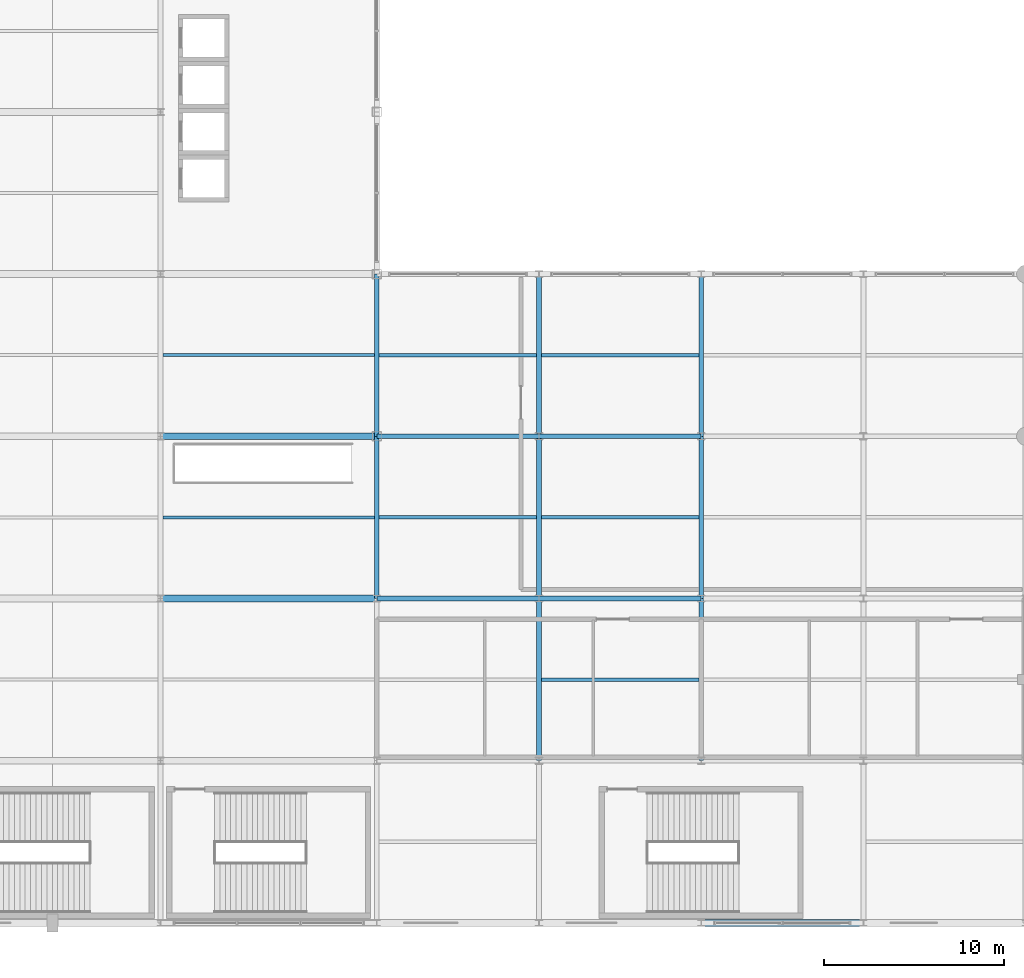
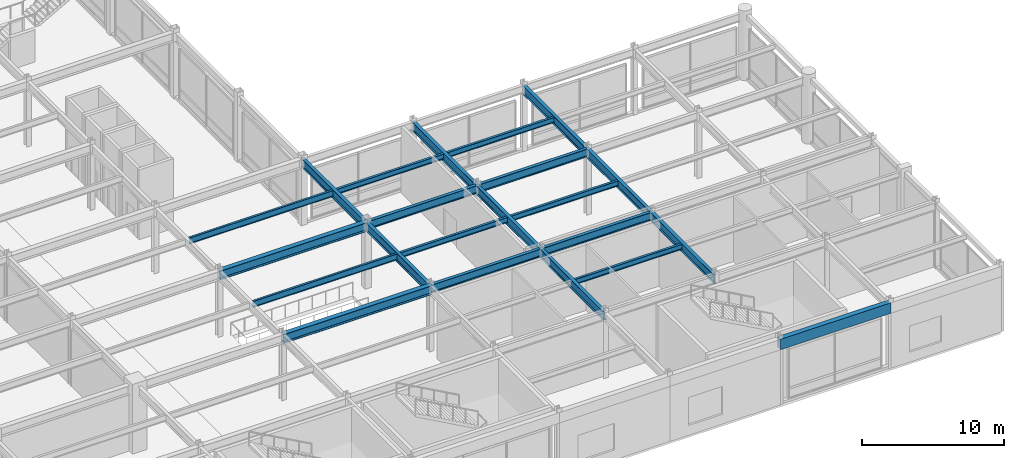
# One storey, part 50 of 108: 22 beams.
"""IFC4 building model written with IfcOpenShell, lengths in metres."""

from ifc_helpers import new_model, si_unit, direction, frame, origin, origin_2d, place, context, subcontext, project, spatial, rectangle, i_section, extrude, material, material_profile, profile_set, type_object, element, save


model = new_model("IFC4")

# Units and contexts
model_context = context("Model", 3, precision=1e-05, world=origin(), true_north=direction((0.0, 1.0)))
body_context = subcontext(model_context, "Body", "Model", "MODEL_VIEW")
ifc_project = project(units=[si_unit("LENGTHUNIT", "METRE"), si_unit("AREAUNIT", "SQUARE_METRE"), si_unit("VOLUMEUNIT", "CUBIC_METRE"), si_unit("PLANEANGLEUNIT", "RADIAN"), si_unit("MASSUNIT", "GRAM", prefix="KILO")], contexts=[model_context])

# Site, building, storey
site_placement = place(None, origin())
site = spatial("IfcSite", under=ifc_project, at=site_placement, CompositionType="ELEMENT")
building_placement = place(site_placement, origin())
building = spatial("IfcBuilding", under=site, at=building_placement, Name="Kaldorvane Square Convention Centre", CompositionType="ELEMENT")
storey_placement = place(building_placement, frame((0.0, 0.0, 12.0)))
storey = spatial("IfcBuildingStorey", under=building, at=storey_placement, Name="L02", CompositionType="ELEMENT", Elevation=12.0)

# Beams
ifc_material_1 = material(Name="Steel ASTM A992 Gr. 50", Category="steel")
ifc_material_profile_1 = material_profile(ifc_material_1, i_section(OverallWidth=0.25439453125, OverallDepth=0.6880950927734375, WebThickness=0.0131072998046875, FlangeThickness=0.0211029052734375, FilletRadius=0.01519775390625, at=origin_2d()), Name="W27X102")
ifc_profile_set_1 = profile_set([ifc_material_profile_1], Name="Steel ASTM A992 Gr. 50")
beam_type_1 = type_object("IfcBeamType", Name="BM-GR-W27X102", PredefinedType="BEAM", material=ifc_profile_set_1)
for number, where, z_axis, x_axis, name in (
    (1, (138.0, 18.0, 5.3018951416015625), (1.0, 0.0, 0.0), (0.0, 1.0, 0.0), "Primary Girder (L02)"),
    (2, (147.0, 18.0, 5.3018951416015625), (1.0, 0.0, 0.0), (0.0, 1.0, 0.0), "Primary Girder (L02)"),
    (3, (138.0, 27.0, 5.3018951416015625), (1.0, 0.0, 0.0), (0.0, 1.0, 0.0), "Primary Girder (L02)"),
    (4, (147.0, 27.0, 5.3018951416015625), (1.0, 0.0, 0.0), (0.0, 1.0, 0.0), "Primary Girder (L02)"),
):
    element("IfcBeam", number, at=place(storey_placement, frame(where, z_axis=z_axis, x_axis=x_axis)), inside=storey, type_object=beam_type_1, Name=name, PredefinedType="BEAM", context=body_context, shape_type="SweptSolid", body=[
        extrude(i_section(OverallWidth=0.25439453125, OverallDepth=0.6880950927734375, WebThickness=0.0131072998046875, FlangeThickness=0.0211029052734375, FilletRadius=0.01519775390625, at=origin_2d()), origin(), (0.0, 0.0, 1.0), 9.0),
    ])
ifc_material_profile_2 = material_profile(ifc_material_1, i_section(OverallWidth=0.2666015625, OverallDepth=0.762298583984375, WebThickness=0.014404296875, FlangeThickness=0.0216064453125, FilletRadius=0.0164947509765625, at=origin_2d()), Name="W30X116")
ifc_profile_set_2 = profile_set([ifc_material_profile_2], Name="Steel ASTM A992 Gr. 50")
beam_type_2 = type_object("IfcBeamType", Name="BM-GR-W30X116", PredefinedType="BEAM", material=ifc_profile_set_2)
for number, where, z_axis, x_axis, name in (
    (5, (138.0, 18.0, 5.264801025390625), (0.0, 1.0, 0.0), (-1.0, 0.0, 0.0), "Transverse Girder (L02)"),
    (6, (138.0, 27.0, 5.264801025390625), (0.0, 1.0, 0.0), (-1.0, 0.0, 0.0), "Transverse Girder (L02)"),
    (7, (147.0, 9.0, 5.264801025390625), (0.0, 1.0, 0.0), (-1.0, 0.0, 0.0), "Transverse Girder (L02)"),
    (8, (147.0, 18.0, 5.264801025390625), (0.0, 1.0, 0.0), (-1.0, 0.0, 0.0), "Transverse Girder (L02)"),
    (9, (147.0, 27.0, 5.264801025390625), (0.0, 1.0, 0.0), (-1.0, 0.0, 0.0), "Transverse Girder (L02)"),
    (10, (156.0, 9.0, 5.264801025390625), (0.0, 1.0, 0.0), (-1.0, 0.0, 0.0), "Transverse Girder (L02)"),
    (11, (156.0, 18.0, 5.264801025390625), (0.0, 1.0, 0.0), (-1.0, 0.0, 0.0), "Transverse Girder (L02)"),
    (12, (156.0, 27.0, 5.264801025390625), (0.0, 1.0, 0.0), (-1.0, 0.0, 0.0), "Transverse Girder (L02)"),
):
    element("IfcBeam", number, at=place(storey_placement, frame(where, z_axis=z_axis, x_axis=x_axis)), inside=storey, type_object=beam_type_2, Name=name, PredefinedType="BEAM", context=body_context, shape_type="SweptSolid", body=[
        extrude(i_section(OverallWidth=0.2666015625, OverallDepth=0.762298583984375, WebThickness=0.014404296875, FlangeThickness=0.0216064453125, FilletRadius=0.0164947509765625, at=origin_2d()), origin(), (0.0, 0.0, 1.0), 9.0),
    ])
ifc_material_profile_3 = material_profile(ifc_material_1, i_section(OverallWidth=0.380706787109375, OverallDepth=0.773193359375, WebThickness=0.0166015625, FlangeThickness=0.027099609375, FilletRadius=0.0164947509765625, at=origin_2d()), Name="W30X173")
ifc_profile_set_3 = profile_set([ifc_material_profile_3], Name="Steel ASTM A992 Gr. 50")
beam_type_3 = type_object("IfcBeamType", Name="BM-GR-W30X173", PredefinedType="BEAM", material=ifc_profile_set_3)
for number, where, z_axis, x_axis, name in (
    (13, (126.0, 18.0, 5.2593994140625), (1.0, 0.0, 0.0), (0.0, 1.0, 0.0), "Primary Girder (L02)"),
    (14, (126.0, 27.0, 5.2593994140625), (1.0, 0.0, 0.0), (0.0, 1.0, 0.0), "Primary Girder (L02)"),
):
    element("IfcBeam", number, at=place(storey_placement, frame(where, z_axis=z_axis, x_axis=x_axis)), inside=storey, type_object=beam_type_3, Name=name, PredefinedType="BEAM", context=body_context, shape_type="SweptSolid", body=[
        extrude(i_section(OverallWidth=0.380706787109375, OverallDepth=0.773193359375, WebThickness=0.0166015625, FlangeThickness=0.027099609375, FilletRadius=0.0164947509765625, at=origin_2d()), origin(), (0.0, 0.0, 1.0), 12.0),
    ])
ifc_material_profile_4 = material_profile(ifc_material_1, i_section(OverallWidth=0.1912994384765625, OverallDepth=0.4600067138671875, WebThickness=0.0099029541015625, FlangeThickness=0.0160064697265625, FilletRadius=0.01019287109375, at=origin_2d()), Name="W18X55")
ifc_profile_set_4 = profile_set([ifc_material_profile_4], Name="Steel ASTM A992 Gr. 50")
beam_type_4 = type_object("IfcBeamType", Name="BM-JS-W18X55", PredefinedType="JOIST", material=ifc_profile_set_4)
for number, where, z_axis, x_axis, name in (
    (15, (147.13330078125, 13.5, 5.4160003662109375), (1.0, 0.0, 0.0), (0.0, 1.0, 0.0), "Secondary Floor Joist (L02)"),
    (16, (138.13330078125, 22.5, 5.4160003662109375), (1.0, 0.0, 0.0), (0.0, 1.0, 0.0), "Secondary Floor Joist (L02)"),
    (17, (147.13330078125, 22.5, 5.4160003662109375), (1.0, 0.0, 0.0), (0.0, 1.0, 0.0), "Secondary Floor Joist (L02)"),
    (18, (138.13330078125, 31.5, 5.4160003662109375), (1.0, 0.0, 0.0), (0.0, 1.0, 0.0), "Secondary Floor Joist (L02)"),
    (19, (147.13330078125, 31.5, 5.4160003662109375), (1.0, 0.0, 0.0), (0.0, 1.0, 0.0), "Secondary Floor Joist (L02)"),
):
    element("IfcBeam", number, at=place(storey_placement, frame(where, z_axis=z_axis, x_axis=x_axis)), inside=storey, type_object=beam_type_4, Name=name, PredefinedType="JOIST", context=body_context, shape_type="SweptSolid", body=[
        extrude(i_section(OverallWidth=0.1912994384765625, OverallDepth=0.4600067138671875, WebThickness=0.0099029541015625, FlangeThickness=0.0160064697265625, FilletRadius=0.01019287109375, at=origin_2d()), origin(), (0.0, 0.0, 1.0), 8.7333984375),
    ])
ifc_material_profile_5 = material_profile(ifc_material_1, i_section(OverallWidth=0.1658935546875, OverallDepth=0.5290985107421875, WebThickness=0.00970458984375, FlangeThickness=0.0135955810546875, FilletRadius=0.0126953125, at=origin_2d()), Name="W21X50")
ifc_profile_set_5 = profile_set([ifc_material_profile_5], Name="Steel ASTM A992 Gr. 50")
beam_type_5 = type_object("IfcBeamType", Name="BM-JS-W21X50", PredefinedType="JOIST", material=ifc_profile_set_5)
for number, where, z_axis, x_axis, name in (
    (20, (126.13330078125, 22.5, 5.3813934326171875), (1.0, 0.0, 0.0), (0.0, 1.0, 0.0), "Secondary Floor Joist (L02)"),
    (21, (126.13330078125, 31.5, 5.3813934326171875), (1.0, 0.0, 0.0), (0.0, 1.0, 0.0), "Secondary Floor Joist (L02)"),
):
    element("IfcBeam", number, at=place(storey_placement, frame(where, z_axis=z_axis, x_axis=x_axis)), inside=storey, type_object=beam_type_5, Name=name, PredefinedType="JOIST", context=body_context, shape_type="SweptSolid", body=[
        extrude(i_section(OverallWidth=0.1658935546875, OverallDepth=0.5290985107421875, WebThickness=0.00970458984375, FlangeThickness=0.0135955810546875, FilletRadius=0.0126953125, at=origin_2d()), origin(), (0.0, 0.0, 1.0), 11.7333984375),
    ])
ifc_material_2 = material(Name="Concrete f'c = 42 MPa (Normalweight)", Category="concrete")
ifc_material_profile_6 = material_profile(ifc_material_2, rectangle(XDim=0.399993896484375, YDim=0.899993896484375, at=origin_2d()), Name="RCSP900X400")
ifc_profile_set_6 = profile_set([ifc_material_profile_6], Name="Concrete f'c = 42 MPa (Normalweight)")
beam_type_6 = type_object("IfcBeamType", Name="BM-SP-RC900", PredefinedType="SPANDREL", material=ifc_profile_set_6)
beam_placement = place(storey_placement, frame((156.0, 0.0, 5.1959991455078125), z_axis=(1.0, 0.0, 0.0), x_axis=(0.0, 1.0, 0.0)))
element("IfcBeam", 22, at=beam_placement, inside=storey, type_object=beam_type_6, Name="Perimeter Spandrel (L02)", PredefinedType="SPANDREL", context=body_context, shape_type="SweptSolid", body=[
    extrude(rectangle(XDim=0.399993896484375, YDim=0.899993896484375, at=origin_2d()), origin(), (0.0, 0.0, 1.0), 9.0),
])

save(model, "model.ifc")
